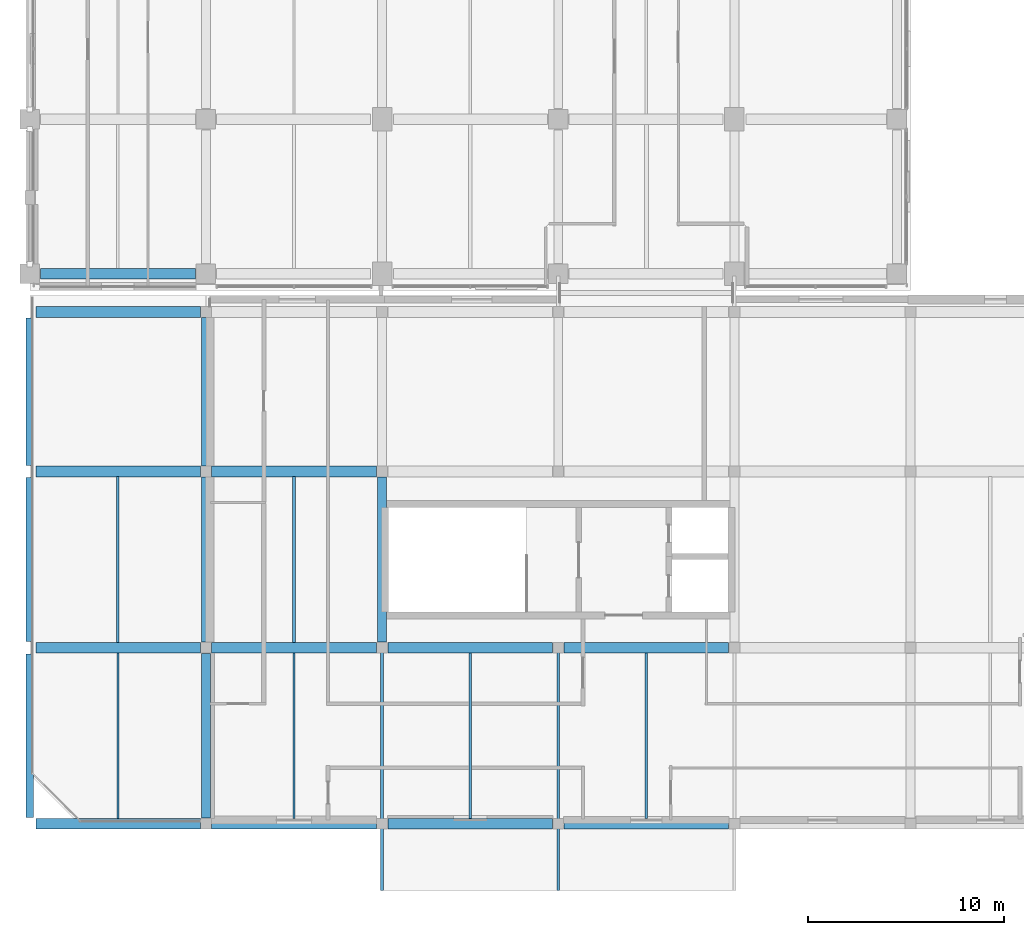
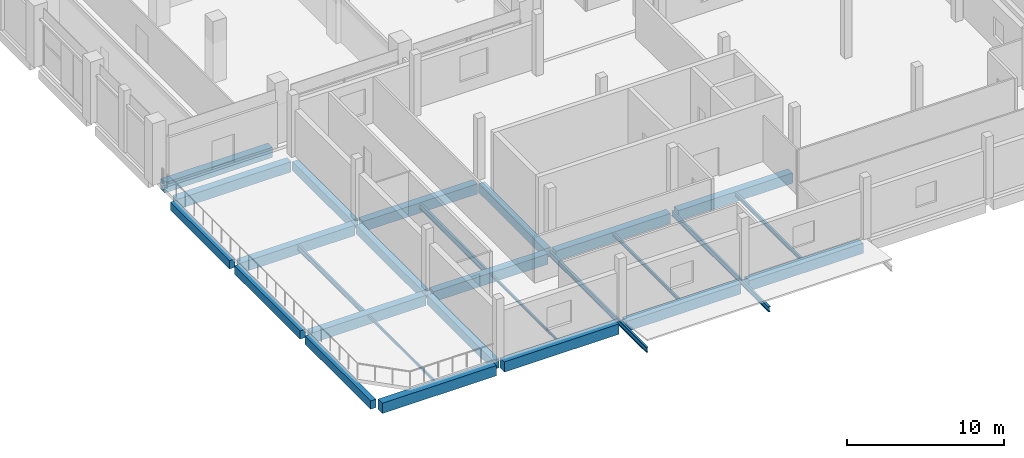
# One storey, part 5 of 111: 27 beams.
"""IFC4 building model written with IfcOpenShell, lengths in metres."""

from ifc_helpers import new_model, si_unit, direction, frame, origin, origin_2d, place, context, subcontext, project, spatial, rectangle, hollow_rectangle, i_section, extrude, material, material_profile, profile_set, type_object, element, save


model = new_model("IFC4")

# Units and contexts
model_context = context("Model", 3, precision=1e-05, world=origin(), true_north=direction((0.0, 1.0)))
body_context = subcontext(model_context, "Body", "Model", "MODEL_VIEW")
ifc_project = project(units=[si_unit("LENGTHUNIT", "METRE"), si_unit("AREAUNIT", "SQUARE_METRE"), si_unit("VOLUMEUNIT", "CUBIC_METRE"), si_unit("PLANEANGLEUNIT", "RADIAN"), si_unit("MASSUNIT", "GRAM", prefix="KILO"), si_unit("THERMODYNAMICTEMPERATUREUNIT", "KELVIN"), si_unit("POWERUNIT", "WATT")], contexts=[model_context])

# Site, building, storey
site_placement = place(None, origin())
site = spatial("IfcSite", under=ifc_project, at=site_placement, CompositionType="ELEMENT")
building_placement = place(site_placement, origin())
building = spatial("IfcBuilding", under=site, at=building_placement, Name="Sindhuravela Promenade Stadium", CompositionType="ELEMENT")
storey_placement = place(building_placement, frame((0.0, 0.0, 9.60009765625)))
storey = spatial("IfcBuildingStorey", under=building, at=storey_placement, Name="L02", CompositionType="ELEMENT", Elevation=9.60009765625)

# Beams
ifc_material_1 = material(Name="Concrete M40", Category="concrete")
ifc_material_profile_1 = material_profile(ifc_material_1, rectangle(XDim=0.39990234375, YDim=0.64990234375, at=origin_2d()), Name="RC 400x650")
ifc_profile_set_1 = profile_set([ifc_material_profile_1], Name="Concrete M40")
beam_type_1 = type_object("IfcBeamType", Name="RC-BM-400x650", PredefinedType="SPANDREL", material=ifc_profile_set_1)
for number, where, z_axis, x_axis, name in (
    (1, (0.0, 9.31494140625, -0.635009765625), (0.0, 1.0, 0.0), (-1.0, 0.0, 0.0), "Primary beam SP01 Pavilion SW L02"),
    (2, (0.0, 18.31494140625, -0.635009765625), (0.0, 1.0, 0.0), (-1.0, 0.0, 0.0), "Primary beam SP01 Pavilion SW L02"),
):
    element("IfcBeam", number, at=place(storey_placement, frame(where, z_axis=z_axis, x_axis=x_axis)), inside=storey, type_object=beam_type_1, Name=name, PredefinedType="SPANDREL", context=body_context, shape_type="SweptSolid", body=[
        extrude(rectangle(XDim=0.39990234375, YDim=0.64990234375, at=origin_2d()), origin(), (0.0, 0.0, 1.0), 8.3701171875),
    ])
beam_1_placement = place(storey_placement, frame((0.0, 27.31494140625, -0.635009765625), z_axis=(0.0, 1.0, 0.0), x_axis=(-1.0, 0.0, 0.0)))
element("IfcBeam", 3, at=beam_1_placement, inside=storey, type_object=beam_type_1, Name="Primary beam SP01 Pavilion SW L02", PredefinedType="SPANDREL", context=body_context, shape_type="SweptSolid", body=[
    extrude(rectangle(XDim=0.39990234375, YDim=0.64990234375, at=origin_2d()), origin(), (0.0, 0.0, 1.0), 7.52001953125),
])
ifc_material_profile_2 = material_profile(ifc_material_1, rectangle(XDim=0.449951171875, YDim=0.699951171875, at=origin_2d()), Name="RC 450x700")
ifc_profile_set_2 = profile_set([ifc_material_profile_2], Name="Concrete M40")
beam_type_2 = type_object("IfcBeamType", Name="RC-BM-450x700", PredefinedType="BEAM", material=ifc_profile_set_2)
for number, where, z_axis, x_axis, name in (
    (4, (9.0, 9.2900390625, -0.66015625), (0.0, 1.0, 0.0), (-1.0, 0.0, 0.0), "Primary beam GB07 Pavilion SW L02"),
    (5, (9.0, 18.2900390625, -0.66015625), (0.0, 1.0, 0.0), (-1.0, 0.0, 0.0), "Primary beam GB07 Pavilion SW L02"),
):
    element("IfcBeam", number, at=place(storey_placement, frame(where, z_axis=z_axis, x_axis=x_axis)), inside=storey, type_object=beam_type_2, Name=name, PredefinedType="BEAM", context=body_context, shape_type="SweptSolid", body=[
        extrude(rectangle(XDim=0.449951171875, YDim=0.699951171875, at=origin_2d()), origin(), (0.0, 0.0, 1.0), 8.419921875),
    ])
beam_2_placement = place(storey_placement, frame((9.0, 27.2900390625, -0.66015625), z_axis=(0.0, 1.0, 0.0), x_axis=(-1.0, 0.0, 0.0)))
element("IfcBeam", 6, at=beam_2_placement, inside=storey, type_object=beam_type_2, Name="Primary beam GB07 Pavilion SW L02", PredefinedType="BEAM", context=body_context, shape_type="SweptSolid", body=[
    extrude(rectangle(XDim=0.449951171875, YDim=0.699951171875, at=origin_2d()), origin(), (0.0, 0.0, 1.0), 7.570068359375),
])
beam_3_placement = place(storey_placement, frame((18.0, 18.2900390625, -0.585205078125), z_axis=(0.0, 1.0, 0.0), x_axis=(-1.0, 0.0, 0.0)))
element("IfcBeam", 7, at=beam_3_placement, inside=storey, type_object=beam_type_2, Name="Primary beam GB07 Pavilion SW L02", PredefinedType="BEAM", context=body_context, shape_type="SweptSolid", body=[
    extrude(rectangle(XDim=0.449951171875, YDim=0.699951171875, at=origin_2d()), origin(), (0.0, 0.0, 1.0), 8.419921875),
])
ifc_material_profile_3 = material_profile(ifc_material_1, rectangle(XDim=0.550048828125, YDim=0.800048828125, at=origin_2d()), Name="RC 550x800")
ifc_profile_set_3 = profile_set([ifc_material_profile_3], Name="Concrete M40")
beam_type_3 = type_object("IfcBeamType", Name="RC-BM-550x800", PredefinedType="BEAM", material=ifc_profile_set_3)
beam_4_placement = place(storey_placement, frame((0.5400390625, 37.10009765625, -0.68017578125), z_axis=(1.0, 0.0, 0.0), x_axis=(0.0, 1.0, 0.0)))
element("IfcBeam", 8, at=beam_4_placement, inside=storey, type_object=beam_type_3, Name="Primary girder GB05 WEST L02", PredefinedType="BEAM", context=body_context, shape_type="SweptSolid", body=[
    extrude(rectangle(XDim=0.550048828125, YDim=0.800048828125, at=origin_2d()), origin(), (0.0, 0.0, 1.0), 7.919921875),
])
beam_5_placement = place(storey_placement, frame((0.31494140625, 9.0, -0.710205078125), z_axis=(1.0, 0.0, 0.0), x_axis=(0.0, 1.0, 0.0)))
element("IfcBeam", 9, at=beam_5_placement, inside=storey, type_object=beam_type_3, Name="Primary girder GB05 Pavilion SW L02", PredefinedType="BEAM", context=body_context, shape_type="SweptSolid", body=[
    extrude(rectangle(XDim=0.550048828125, YDim=0.800048828125, at=origin_2d()), origin(), (0.0, 0.0, 1.0), 8.39501953125),
])
for number, where, z_axis, x_axis, name in (
    (10, (9.2900390625, 9.0, -0.635009765625), (1.0, 0.0, 0.0), (0.0, 1.0, 0.0), "Primary girder GB05 Pavilion SW L02"),
    (11, (18.2900390625, 9.0, -0.635009765625), (1.0, 0.0, 0.0), (0.0, 1.0, 0.0), "Primary girder GB05 Pavilion SW L02"),
    (12, (27.2900390625, 9.0, -0.635009765625), (1.0, 0.0, 0.0), (0.0, 1.0, 0.0), "Primary girder GB05 Pavilion SW L02"),
):
    element("IfcBeam", number, at=place(storey_placement, frame(where, z_axis=z_axis, x_axis=x_axis)), inside=storey, type_object=beam_type_3, Name=name, PredefinedType="BEAM", context=body_context, shape_type="SweptSolid", body=[
        extrude(rectangle(XDim=0.550048828125, YDim=0.800048828125, at=origin_2d()), origin(), (0.0, 0.0, 1.0), 8.419921875),
    ])
beam_6_placement = place(storey_placement, frame((0.31494140625, 18.0, -0.710205078125), z_axis=(1.0, 0.0, 0.0), x_axis=(0.0, 1.0, 0.0)))
element("IfcBeam", 13, at=beam_6_placement, inside=storey, type_object=beam_type_3, Name="Primary girder GB05 Pavilion SW L02", PredefinedType="BEAM", context=body_context, shape_type="SweptSolid", body=[
    extrude(rectangle(XDim=0.550048828125, YDim=0.800048828125, at=origin_2d()), origin(), (0.0, 0.0, 1.0), 8.39501953125),
])
for number, where, z_axis, x_axis, name in (
    (14, (9.2900390625, 18.0, -0.635009765625), (1.0, 0.0, 0.0), (0.0, 1.0, 0.0), "Primary girder GB05 Pavilion SW L02"),
    (15, (18.2900390625, 18.0, -0.635009765625), (1.0, 0.0, 0.0), (0.0, 1.0, 0.0), "Primary girder GB05 Pavilion SW L02"),
    (16, (27.2900390625, 18.0, -0.635009765625), (1.0, 0.0, 0.0), (0.0, 1.0, 0.0), "Primary girder GB05 Pavilion SW L02"),
):
    element("IfcBeam", number, at=place(storey_placement, frame(where, z_axis=z_axis, x_axis=x_axis)), inside=storey, type_object=beam_type_3, Name=name, PredefinedType="BEAM", context=body_context, shape_type="SweptSolid", body=[
        extrude(rectangle(XDim=0.550048828125, YDim=0.800048828125, at=origin_2d()), origin(), (0.0, 0.0, 1.0), 8.419921875),
    ])
beam_7_placement = place(storey_placement, frame((0.31494140625, 27.0, -0.710205078125), z_axis=(1.0, 0.0, 0.0), x_axis=(0.0, 1.0, 0.0)))
element("IfcBeam", 17, at=beam_7_placement, inside=storey, type_object=beam_type_3, Name="Primary girder GB05 Pavilion SW L02", PredefinedType="BEAM", context=body_context, shape_type="SweptSolid", body=[
    extrude(rectangle(XDim=0.550048828125, YDim=0.800048828125, at=origin_2d()), origin(), (0.0, 0.0, 1.0), 8.39501953125),
])
beam_8_placement = place(storey_placement, frame((9.2900390625, 27.0, -0.635009765625), z_axis=(1.0, 0.0, 0.0), x_axis=(0.0, 1.0, 0.0)))
element("IfcBeam", 18, at=beam_8_placement, inside=storey, type_object=beam_type_3, Name="Primary girder GB05 Pavilion SW L02", PredefinedType="BEAM", context=body_context, shape_type="SweptSolid", body=[
    extrude(rectangle(XDim=0.550048828125, YDim=0.800048828125, at=origin_2d()), origin(), (0.0, 0.0, 1.0), 8.419921875),
])
beam_9_placement = place(storey_placement, frame((0.31494140625, 35.14990234375, -0.710205078125), z_axis=(1.0, 0.0, 0.0), x_axis=(0.0, 1.0, 0.0)))
element("IfcBeam", 19, at=beam_9_placement, inside=storey, type_object=beam_type_3, Name="Primary girder GB05 Pavilion SW L02", PredefinedType="BEAM", context=body_context, shape_type="SweptSolid", body=[
    extrude(rectangle(XDim=0.550048828125, YDim=0.800048828125, at=origin_2d()), origin(), (0.0, 0.0, 1.0), 8.39501953125),
])
ifc_material_2 = material(Name="Steel E350 (IS 2062 E350BR)", Category="steel")
ifc_material_profile_4 = material_profile(ifc_material_2, hollow_rectangle(XDim=0.10009765625, YDim=0.199951171875, WallThickness=0.008056640625, at=origin_2d()), Name="RHS 200x100x8")
ifc_profile_set_4 = profile_set([ifc_material_profile_4], Name="Steel E350 (IS 2062 E350BR)")
beam_type_4 = type_object("IfcBeamType", Name="ST-BM-LNT200", PredefinedType="LINTEL", material=ifc_profile_set_4)
beam_10_placement = place(storey_placement, frame((4.5, 9.264892578125, -0.41015625), z_axis=(0.0, 1.0, 0.0), x_axis=(-1.0, 0.0, 0.0)))
element("IfcBeam", 20, at=beam_10_placement, inside=storey, type_object=beam_type_4, Name="Secondary floor joist LN01 Pavilion SW L02", PredefinedType="LINTEL", context=body_context, shape_type="SweptSolid", body=[
    extrude(hollow_rectangle(XDim=0.10009765625, YDim=0.199951171875, WallThickness=0.008056640625, at=origin_2d()), origin(), (0.0, 0.0, 1.0), 8.47021484375),
])
ifc_material_profile_5 = material_profile(ifc_material_2, i_section(OverallWidth=0.10009765625, OverallDepth=0.199951171875, WebThickness=0.005615234375, FlangeThickness=0.0107421875, FilletRadius=0.010986328125, at=origin_2d()), Name="ISMB 200")
ifc_profile_set_5 = profile_set([ifc_material_profile_5], Name="Steel E350 (IS 2062 E350BR)")
beam_type_5 = type_object("IfcBeamType", Name="ST-BM-MB200", PredefinedType="JOIST", material=ifc_profile_set_5)
beam_11_placement = place(storey_placement, frame((13.5, 9.264892578125, -0.335205078125), z_axis=(0.0, 1.0, 0.0), x_axis=(-1.0, 0.0, 0.0)))
element("IfcBeam", 21, at=beam_11_placement, inside=storey, type_object=beam_type_5, Name="Secondary floor joist SB01 Pavilion SW L02", PredefinedType="JOIST", context=body_context, shape_type="SweptSolid", body=[
    extrude(i_section(OverallWidth=0.10009765625, OverallDepth=0.199951171875, WebThickness=0.005615234375, FlangeThickness=0.0107421875, FilletRadius=0.010986328125, at=origin_2d()), origin(), (0.0, 0.0, 1.0), 8.47021484375),
])
ifc_material_profile_6 = material_profile(ifc_material_2, i_section(OverallWidth=0.125, OverallDepth=0.25, WebThickness=0.0068359375, FlangeThickness=0.012451171875, FilletRadius=0.012939453125, at=origin_2d()), Name="ISMB 250")
ifc_profile_set_6 = profile_set([ifc_material_profile_6], Name="Steel E350 (IS 2062 E350BR)")
beam_type_6 = type_object("IfcBeamType", Name="ST-BM-MB250", PredefinedType="JOIST", material=ifc_profile_set_6)
beam_12_placement = place(storey_placement, frame((22.5, 9.264892578125, -0.360107421875), z_axis=(0.0, 1.0, 0.0), x_axis=(-1.0, 0.0, 0.0)))
element("IfcBeam", 22, at=beam_12_placement, inside=storey, type_object=beam_type_6, Name="Secondary floor joist SB02 Pavilion SW L02", PredefinedType="JOIST", context=body_context, shape_type="SweptSolid", body=[
    extrude(i_section(OverallWidth=0.125, OverallDepth=0.25, WebThickness=0.0068359375, FlangeThickness=0.012451171875, FilletRadius=0.012939453125, at=origin_2d()), origin(), (0.0, 0.0, 1.0), 8.47021484375),
])
ifc_material_profile_7 = material_profile(ifc_material_2, i_section(OverallWidth=0.139892578125, OverallDepth=0.300048828125, WebThickness=0.0078125, FlangeThickness=0.01318359375, FilletRadius=0.013916015625, at=origin_2d()), Name="ISMB 300")
ifc_profile_set_7 = profile_set([ifc_material_profile_7], Name="Steel E350 (IS 2062 E350BR)")
beam_type_7 = type_object("IfcBeamType", Name="ST-BM-MB300", PredefinedType="JOIST", material=ifc_profile_set_7)
beam_13_placement = place(storey_placement, frame((31.5, 9.264892578125, -0.385009765625), z_axis=(0.0, 1.0, 0.0), x_axis=(-1.0, 0.0, 0.0)))
element("IfcBeam", 23, at=beam_13_placement, inside=storey, type_object=beam_type_7, Name="Secondary floor joist SB03 Pavilion SW L02", PredefinedType="JOIST", context=body_context, shape_type="SweptSolid", body=[
    extrude(i_section(OverallWidth=0.139892578125, OverallDepth=0.300048828125, WebThickness=0.0078125, FlangeThickness=0.01318359375, FilletRadius=0.013916015625, at=origin_2d()), origin(), (0.0, 0.0, 1.0), 8.47021484375),
])
ifc_material_profile_8 = material_profile(ifc_material_2, i_section(OverallWidth=0.139892578125, OverallDepth=0.39990234375, WebThickness=0.0087890625, FlangeThickness=0.01611328125, FilletRadius=0.013916015625, at=origin_2d()), Name="ISMB 400")
ifc_profile_set_8 = profile_set([ifc_material_profile_8], Name="Steel E350 (IS 2062 E350BR)")
beam_type_8 = type_object("IfcBeamType", Name="ST-BM-MB400", PredefinedType="BEAM", material=ifc_profile_set_8)
beam_14_placement = place(storey_placement, frame((4.5, 18.264892578125, -0.510009765625), z_axis=(0.0, 1.0, 0.0), x_axis=(-1.0, 0.0, 0.0)))
element("IfcBeam", 24, at=beam_14_placement, inside=storey, type_object=beam_type_8, Name="Secondary floor joist SB05 Pavilion SW L02", PredefinedType="BEAM", context=body_context, shape_type="SweptSolid", body=[
    extrude(i_section(OverallWidth=0.139892578125, OverallDepth=0.39990234375, WebThickness=0.0087890625, FlangeThickness=0.01611328125, FilletRadius=0.013916015625, at=origin_2d()), origin(), (0.0, 0.0, 1.0), 8.47021484375),
])
for number, where, z_axis, x_axis, name in (
    (25, (18.0, 18.0, -0.4501953125), (0.0, -1.0, 0.0), (1.0, 0.0, 0.0), "Main entrance canopy cantilever beam SW-1"),
    (26, (27.0, 18.0, -0.4501953125), (0.0, -1.0, 0.0), (1.0, 0.0, 0.0), "Main entrance canopy cantilever beam SW-2"),
):
    element("IfcBeam", number, at=place(storey_placement, frame(where, z_axis=z_axis, x_axis=x_axis)), inside=storey, type_object=beam_type_8, Name=name, PredefinedType="BEAM", context=body_context, shape_type="SweptSolid", body=[
        extrude(i_section(OverallWidth=0.139892578125, OverallDepth=0.39990234375, WebThickness=0.0087890625, FlangeThickness=0.01611328125, FilletRadius=0.013916015625, at=origin_2d()), origin(), (0.0, 0.0, 1.0), 12.39990234375),
    ])
ifc_material_profile_9 = material_profile(ifc_material_2, i_section(OverallWidth=0.14990234375, OverallDepth=0.449951171875, WebThickness=0.009521484375, FlangeThickness=0.017333984375, FilletRadius=0.014892578125, at=origin_2d()), Name="ISMB 450")
ifc_profile_set_9 = profile_set([ifc_material_profile_9], Name="Steel E350 (IS 2062 E350BR)")
beam_type_9 = type_object("IfcBeamType", Name="ST-BM-MB450", PredefinedType="BEAM", material=ifc_profile_set_9)
beam_15_placement = place(storey_placement, frame((13.5, 18.264892578125, -0.460205078125), z_axis=(0.0, 1.0, 0.0), x_axis=(-1.0, 0.0, 0.0)))
element("IfcBeam", 27, at=beam_15_placement, inside=storey, type_object=beam_type_9, Name="Secondary floor joist SB06 Pavilion SW L02", PredefinedType="BEAM", context=body_context, shape_type="SweptSolid", body=[
    extrude(i_section(OverallWidth=0.14990234375, OverallDepth=0.449951171875, WebThickness=0.009521484375, FlangeThickness=0.017333984375, FilletRadius=0.014892578125, at=origin_2d()), origin(), (0.0, 0.0, 1.0), 8.47021484375),
])

save(model, "model.ifc")
